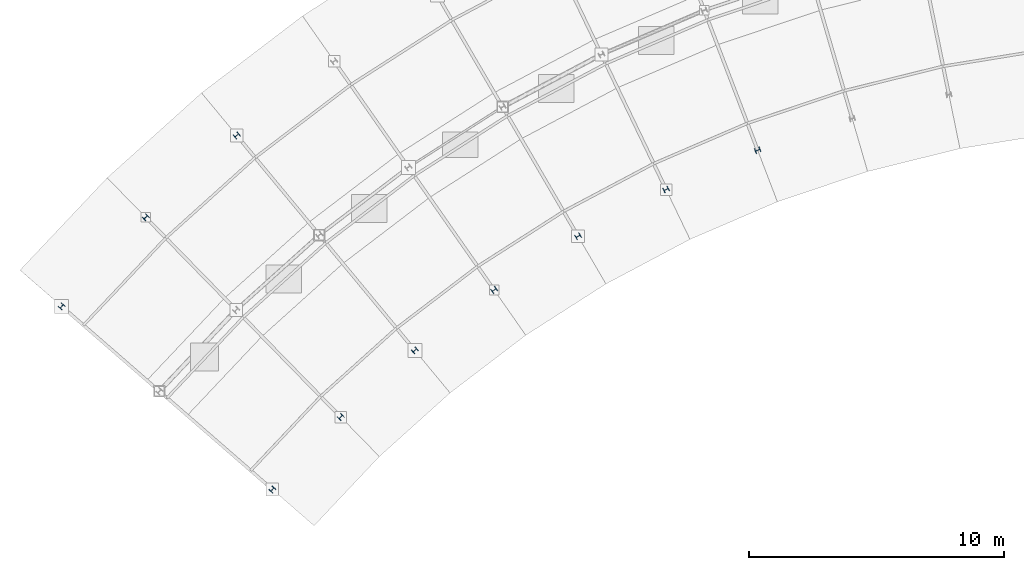
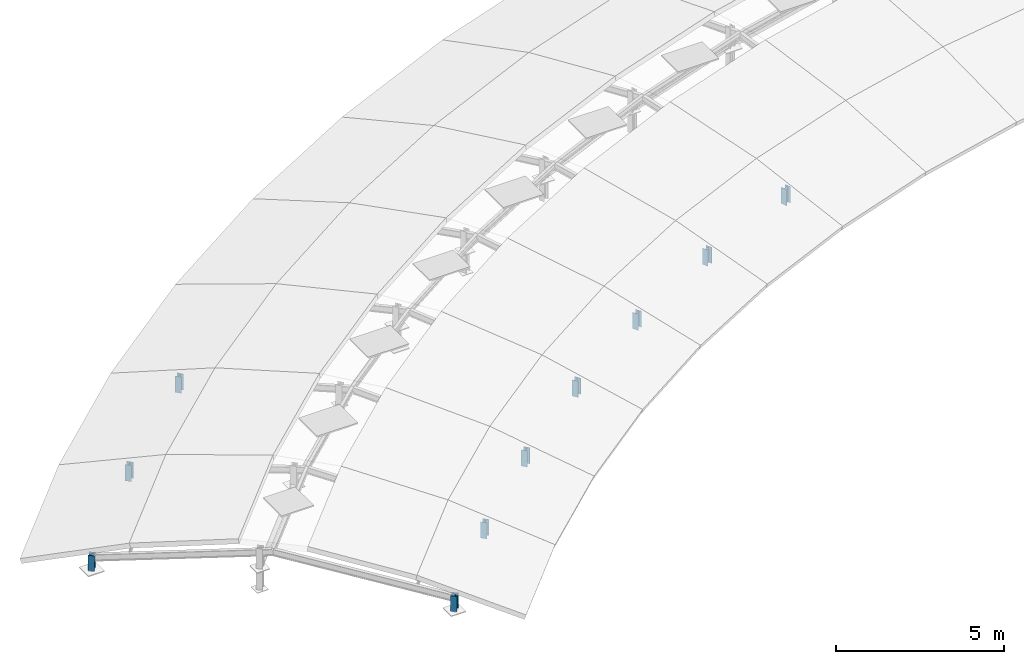
# One storey, part 3 of 8: 10 columns.
"""IFC4 building model written with IfcOpenShell, lengths in metres."""

from ifc_helpers import new_model, si_unit, direction, frame, origin, origin_2d, place, context, subcontext, project, spatial, i_section, extrude, material, material_profile, profile_set, type_object, element, save


model = new_model("IFC4")

# Units and contexts
model_context = context("Model", 3, precision=1e-05, world=origin(), true_north=direction((0.0, 1.0)))
body_context = subcontext(model_context, "Body", "Model", "MODEL_VIEW")
ifc_project = project(units=[si_unit("LENGTHUNIT", "METRE"), si_unit("AREAUNIT", "SQUARE_METRE"), si_unit("VOLUMEUNIT", "CUBIC_METRE"), si_unit("PLANEANGLEUNIT", "RADIAN"), si_unit("MASSUNIT", "GRAM", prefix="KILO")], contexts=[model_context])

# Site, building, storey
site_placement = place(None, origin())
site = spatial("IfcSite", under=ifc_project, at=site_placement, CompositionType="ELEMENT")
building_placement = place(site_placement, origin())
building = spatial("IfcBuilding", under=site, at=building_placement, Name="Zimvara Arc Housing Community", CompositionType="ELEMENT")
storey_placement = place(building_placement, frame((0.0, 0.0, 45.300048828125)))
storey = spatial("IfcBuildingStorey", under=building, at=storey_placement, Name="RF", CompositionType="ELEMENT", Elevation=45.300048828125)

# Columns
ifc_material = material(Name="Steel S355", Category="steel")
ifc_material_profile = material_profile(ifc_material, i_section(OverallWidth=0.199951171875, OverallDepth=0.199951171875, WebThickness=0.009033203125, FlangeThickness=0.014892578125, FilletRadius=0.01806640625, at=origin_2d()), Name="HEB 200")
ifc_profile_set = profile_set([ifc_material_profile], Name="Steel S355")
column_type = type_object("IfcColumnType", Name="COL-ST-HEB200", PredefinedType="COLUMN", material=ifc_profile_set)
for number, where, z_axis, x_axis, name in (
    (1, (8.834228515625, 75.938232421875, 0.0), (0.0, 0.0, 1.0), (-0.754709580223, 0.656059028991, 0.0), "col:blkA:RF:ribpost1:g0"),
    (2, (0.562744140625, 83.128662109375, 0.0), (0.0, 0.0, 1.0), (-0.754709580223, 0.656059028991, 0.0), "col:blkA:RF:ribpost3:g0"),
    (3, (11.52001953125, 78.784423828125, 0.0), (0.0, 0.0, 1.0), (-0.698665066769, 0.715448897181, 0.0), "col:blkA:RF:ribpost1:g1"),
    (4, (3.862548828125, 86.625732421875, 0.0), (0.0, 0.0, 1.0), (-0.698665066769, 0.715448897181, 0.0), "col:blkA:RF:ribpost3:g1"),
    (5, (14.428955078125, 81.401611328125, 0.0), (0.0, 0.0, 1.0), (-0.637961754089, 0.770068049148, 0.0), "col:blkA:RF:ribpost1:g2"),
    (6, (7.436767578125, 89.841552734375, 0.0), (0.0, 0.0, 1.0), (-0.637961754089, 0.770068049148, 0.0), "col:blkA:RF:ribpost3:g2"),
    (7, (17.541748046875, 83.77294921875, 0.0), (0.0, 0.0, 1.0), (-0.573004420611, 0.819552276527, 0.0), "col:blkA:RF:ribpost1:g3"),
    (8, (20.83740234375, 85.88232421875, 0.0), (0.0, 0.0, 1.0), (-0.504226211181, 0.863571611366, 0.0), "col:blkA:RF:ribpost1:g4"),
    (9, (24.29443359375, 87.7158203125, 0.0), (0.0, 0.0, 1.0), (-0.432085748802, 0.901832526405, 0.0), "col:blkA:RF:ribpost1:g5"),
    (10, (27.889404296875, 89.260986328125, 0.0), (0.0, 0.0, 1.0), (-0.357064076459, 0.934079892355, 0.0), "col:blkA:RF:ribpost1:g6"),
):
    element("IfcColumn", number, at=place(storey_placement, frame(where, z_axis=z_axis, x_axis=x_axis)), inside=storey, type_object=column_type, Name=name, PredefinedType="COLUMN", context=body_context, shape_type="SweptSolid", body=[
        extrude(i_section(OverallWidth=0.199951171875, OverallDepth=0.199951171875, WebThickness=0.009033203125, FlangeThickness=0.014892578125, FilletRadius=0.01806640625, at=origin_2d()), origin(), (0.0, 0.0, 1.0), 0.58251953125),
    ])

save(model, "model.ifc")
